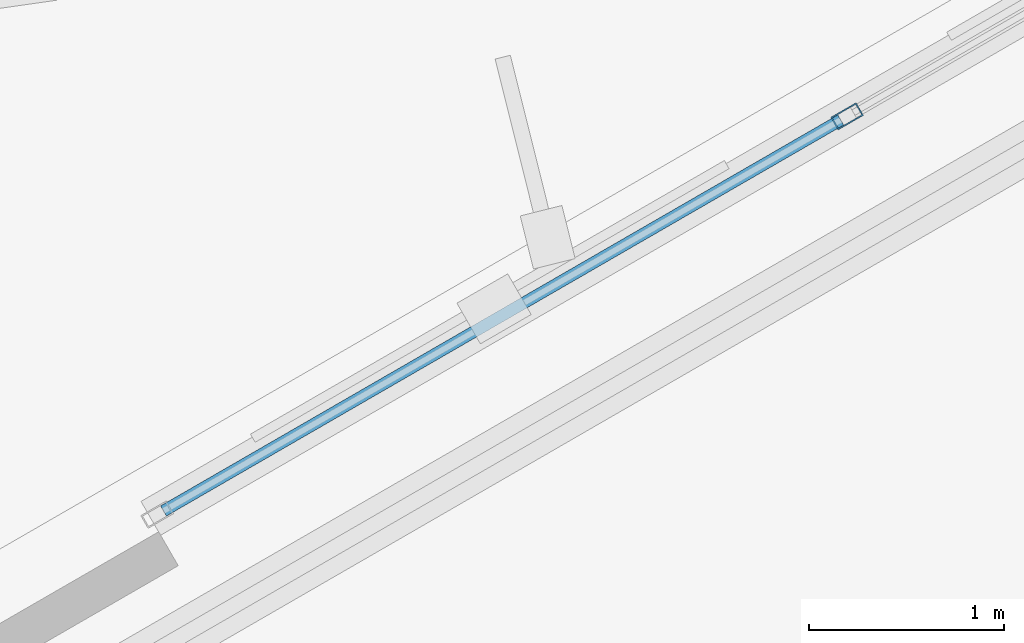
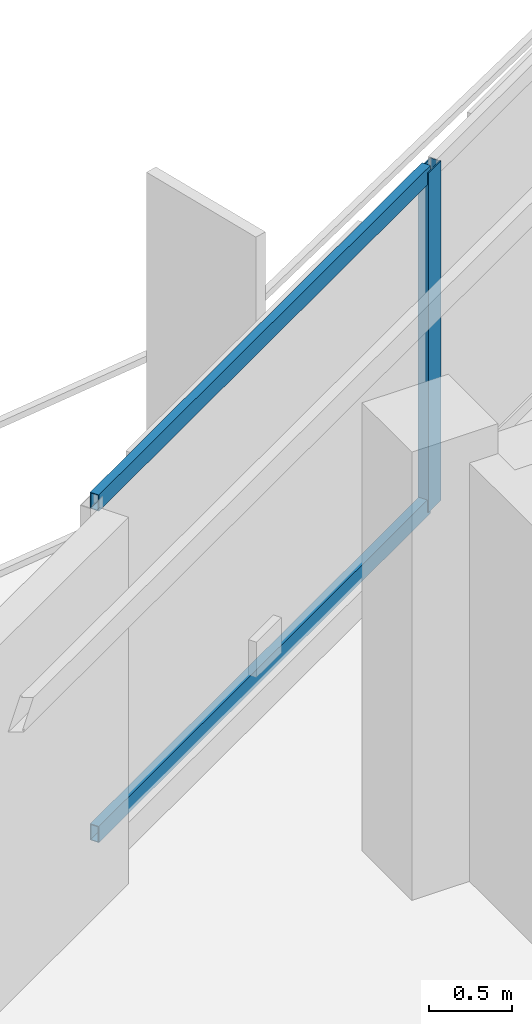
# One storey, part 8 of 17: 3 members, 1 element without a shape of its own.
"""IFC4 building model written with IfcOpenShell, lengths in metres."""

from ifc_helpers import new_model, si_unit, direction, frame, origin, origin_2d, place, context, subcontext, project, spatial, hollow_rectangle, extrude, material, layer, layer_set, material_profile, profile_set, type_object, element, aggregate, save


model = new_model("IFC4")

# Units and contexts
model_context = context("Model", 3, precision=1e-05, world=origin(), true_north=direction((0.0, 1.0)))
body_context = subcontext(model_context, "Body", "Model", "MODEL_VIEW")
ifc_project = project(units=[si_unit("LENGTHUNIT", "METRE"), si_unit("AREAUNIT", "SQUARE_METRE"), si_unit("VOLUMEUNIT", "CUBIC_METRE"), si_unit("PLANEANGLEUNIT", "RADIAN"), si_unit("MASSUNIT", "GRAM", prefix="KILO")], contexts=[model_context])

# Site, building, storey
site_placement = place(None, origin())
site = spatial("IfcSite", under=ifc_project, at=site_placement, CompositionType="ELEMENT")
building_placement = place(site_placement, origin())
building = spatial("IfcBuilding", under=site, at=building_placement, Name="Mersakhor Tower and Convention Hall", CompositionType="ELEMENT")
storey_placement = place(building_placement, frame((0.0, 0.0, 223.199951171875)))
storey = spatial("IfcBuildingStorey", under=building, at=storey_placement, Name="L62", CompositionType="ELEMENT", Elevation=223.199951171875)

# Curtain wall, members
ifc_material_1 = material(Name="Dark solar low-E aluminium curtain wall", Category="aluminium")
ifc_layer = layer(ifc_material_1, 0.179931640625)
ifc_layer_set = layer_set([ifc_layer], Name="Dark solar low-E aluminium curtain wall")
curtain_wall_type = type_object("IfcCurtainWallType", Name="CW-SYS-03", PredefinedType="USERDEFINED", material=ifc_layer_set)
curtain_wall_placement = place(storey_placement, origin())
curtain_wall = element("IfcCurtainWall", 1, at=curtain_wall_placement, inside=storey, type_object=curtain_wall_type, Name="L62 Dark-Glass Curtain Wall F1-B2", ObjectType="CURTAIN WALL", PredefinedType="USERDEFINED")
ifc_material_2 = material(Name="Anodised aluminium EN AW-6063 T6", Category="aluminium")
ifc_material_profile_1 = material_profile(ifc_material_2, hollow_rectangle(XDim=0.074951171875, YDim=0.14990234375, WallThickness=0.00634765625, at=origin_2d()), Name="RHS 150x75x6.3")
ifc_profile_set_1 = profile_set([ifc_material_profile_1], Name="Anodised aluminium EN AW-6063 T6")
member_type_1 = type_object("IfcMemberType", Name="CWM-150x75", PredefinedType="MULLION", material=ifc_profile_set_1)
member_1_placement = place(storey_placement, frame((23.628662109375, 36.053466796875, 0.199951171875), z_axis=(0.0, 0.0, 1.0), x_axis=(-0.500004411169, 0.86602285698, 0.0)))
member_1 = element("IfcMember", 2, at=member_1_placement, type_object=member_type_1, Name="CW-03 mullion 2", PredefinedType="MULLION", context=body_context, shape_type="SweptSolid", body=[
    extrude(hollow_rectangle(XDim=0.074951171875, YDim=0.14990234375, WallThickness=0.00634765625, at=origin_2d()), origin(), (0.0, 0.0, 1.0), 2.5),
])
ifc_material_3 = material(Name="Anodised aluminium EN AW-6063 T6", Category="aluminium")
ifc_material_profile_2 = material_profile(ifc_material_3, hollow_rectangle(XDim=0.06005859375, YDim=0.1201171875, WallThickness=0.0048828125, at=origin_2d()), Name="RHS 120x60x5")
ifc_profile_set_2 = profile_set([ifc_material_profile_2], Name="Anodised aluminium EN AW-6063 T6")
member_type_2 = type_object("IfcMemberType", Name="CWT-120x60", PredefinedType="USERDEFINED", material=ifc_profile_set_2)
member_2_placement = place(storey_placement, frame((20.130859375, 34.0341796875, 0.22998046875), z_axis=(0.866023018642, 0.500004131166, 0.0), x_axis=(-0.500004131166, 0.866023018642, 0.0)))
member_2 = element("IfcMember", 3, at=member_2_placement, type_object=member_type_2, Name="CW-03 transom 1.1", ObjectType="TRANSOM", PredefinedType="USERDEFINED", context=body_context, shape_type="SweptSolid", body=[
    extrude(hollow_rectangle(XDim=0.06005859375, YDim=0.1201171875, WallThickness=0.0048828125, at=origin_2d()), origin(), (0.0, 0.0, 1.0), 4.00146484375),
])
member_3_placement = place(storey_placement, frame((20.130859375, 34.0341796875, 2.670166015625), z_axis=(0.866023018642, 0.500004131166, 0.0), x_axis=(-0.500004131166, 0.866023018642, 0.0)))
member_3 = element("IfcMember", 4, at=member_3_placement, type_object=member_type_2, Name="CW-03 transom 1.2", ObjectType="TRANSOM", PredefinedType="USERDEFINED", context=body_context, shape_type="SweptSolid", body=[
    extrude(hollow_rectangle(XDim=0.06005859375, YDim=0.1201171875, WallThickness=0.0048828125, at=origin_2d()), origin(), (0.0, 0.0, 1.0), 4.00146484375),
])
aggregate(curtain_wall, [member_1, member_2, member_3])

save(model, "model.ifc")
